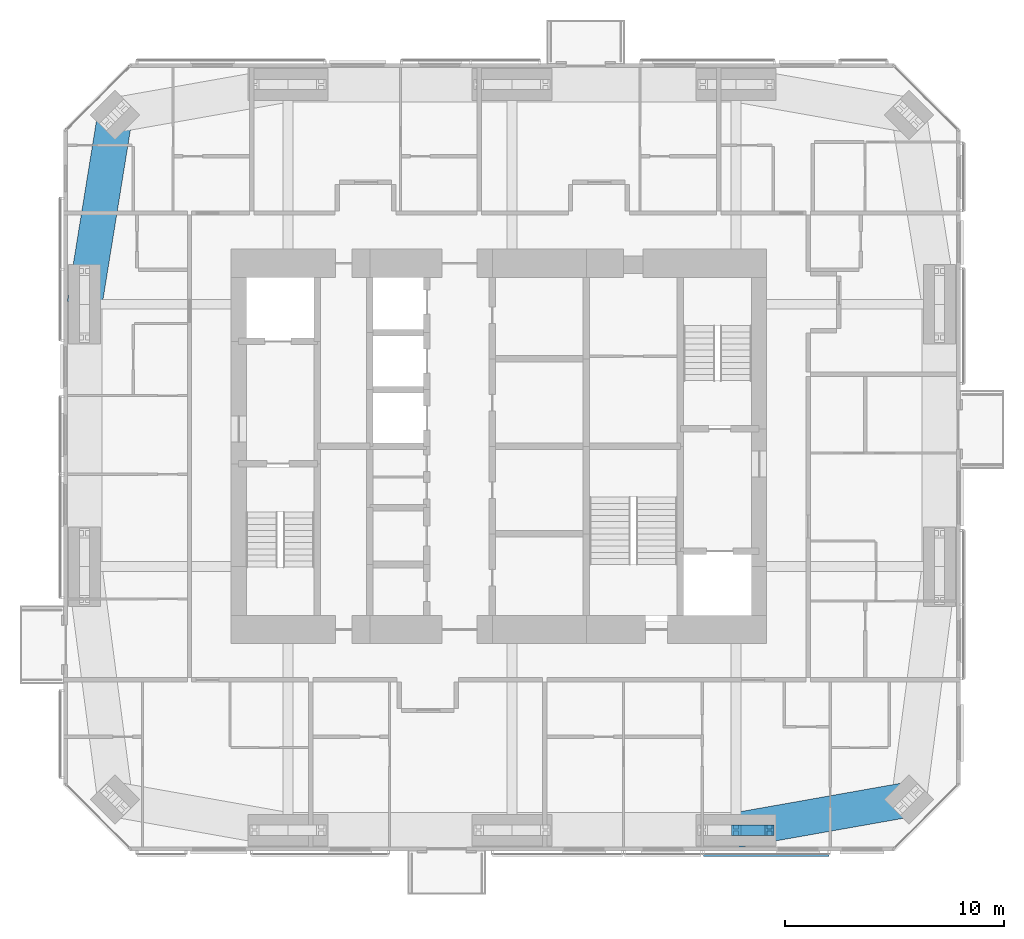
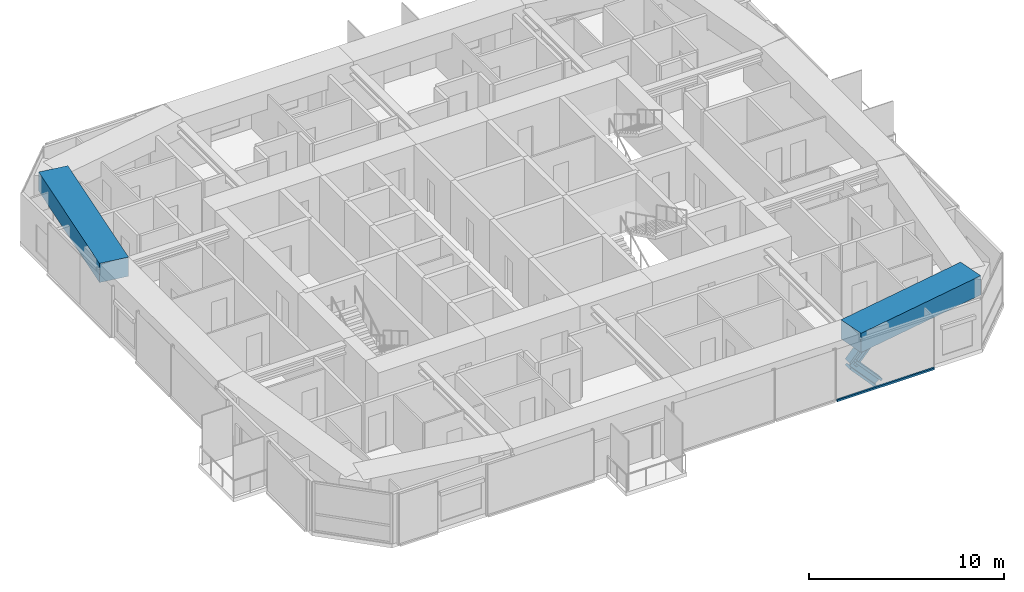
# One storey, part 7 of 23: 3 members, 2 beams, 1 element without a shape of its own.
"""IFC4 building model written with IfcOpenShell, lengths in metres."""

from ifc_helpers import new_model, si_unit, direction, frame, origin, origin_2d, place, context, subcontext, project, spatial, rectangle, i_section, extrude, material, material_profile, profile_set, type_object, element, aggregate, save


model = new_model("IFC4")

# Units and contexts
model_context = context("Model", 3, precision=1e-05, world=origin(), true_north=direction((0.0, 1.0)))
body_context = subcontext(model_context, "Body", "Model", "MODEL_VIEW")
ifc_project = project(units=[si_unit("LENGTHUNIT", "METRE"), si_unit("AREAUNIT", "SQUARE_METRE"), si_unit("VOLUMEUNIT", "CUBIC_METRE"), si_unit("PLANEANGLEUNIT", "RADIAN"), si_unit("MASSUNIT", "GRAM", prefix="KILO")], contexts=[model_context])

# Site, building, storey
site_placement = place(None, origin())
site = spatial("IfcSite", under=ifc_project, at=site_placement, CompositionType="ELEMENT")
building_placement = place(site_placement, origin())
building = spatial("IfcBuilding", under=site, at=building_placement, Name="Jalousie Tower", CompositionType="ELEMENT")
storey_placement = place(building_placement, frame((0.0, 0.0, 187.85009765625)))
storey = spatial("IfcBuildingStorey", under=building, at=storey_placement, Name="L51", CompositionType="ELEMENT", Elevation=187.85009765625)

# Members
ifc_material_1 = material(Name="Steel ASTM A992 Grade 50", Category="steel")
ifc_material_profile_1 = material_profile(ifc_material_1, i_section(OverallWidth=0.472412109375, OverallDepth=0.5791015625, WebThickness=0.094970703125, FlangeThickness=0.1298828125, at=origin_2d()), Name="W14X808")
ifc_profile_set_1 = profile_set([ifc_material_profile_1], Name="Steel ASTM A992 Grade 50")
member_type_1 = type_object("IfcMemberType", Name="PERIMETER BRACE W14X808", PredefinedType="BRACE", material=ifc_profile_set_1)
for number, where, z_axis, x_axis, name in (
    (1, (42.75, 0.949951171875, 1.074951171875), (0.673187629365, 0.0, 0.739471713908), (0.0, 1.0, 0.0), "Perimeter brace 04 L51 part 2"),
    (2, (44.27490234375, 0.949951171875, -0.60009765625), (-0.673187629365, 0.0, 0.739471713908), (0.0, -1.0, 0.0), "Perimeter brace 04 L51 part 3"),
):
    element("IfcMember", number, at=place(storey_placement, frame(where, z_axis=z_axis, x_axis=x_axis)), inside=storey, type_object=member_type_1, Name=name, PredefinedType="BRACE", context=body_context, shape_type="SweptSolid", body=[
        extrude(i_section(OverallWidth=0.472412109375, OverallDepth=0.5791015625, WebThickness=0.094970703125, FlangeThickness=0.1298828125, at=origin_2d()), origin(), (0.0, 0.0, 1.0), 2.26513671875),
    ])

# Beams
ifc_material_2 = material(Name="Concrete f'c 40 MPa", Category="concrete")
ifc_material_profile_2 = material_profile(ifc_material_2, rectangle(XDim=1.60009765625, YDim=1.199951171875, at=origin_2d()), Name="RC 1600x1200")
ifc_profile_set_2 = profile_set([ifc_material_profile_2], Name="Concrete f'c 40 MPa")
beam_type = type_object("IfcBeamType", Name="RC BEAM 1600x1200", PredefinedType="BEAM", material=ifc_profile_set_2)
beam_1_placement = place(storey_placement, frame((42.75, 0.949951171875, 2.75), z_axis=(0.984697370688, 0.174273027632, 0.0), x_axis=(-0.174273027632, 0.984697370688, 0.0)))
element("IfcBeam", 3, at=beam_1_placement, inside=storey, type_object=beam_type, Name="Edge band beam 04-05 under L52", PredefinedType="BEAM", context=body_context, shape_type="SweptSolid", body=[
    extrude(rectangle(XDim=1.60009765625, YDim=1.199951171875, at=origin_2d()), origin(), (0.0, 0.0, 1.0), 8.0244140625),
])
beam_2_placement = place(storey_placement, frame((14.348388671875, 33.651611328125, 2.75), z_axis=(-0.159567878256, -0.987186959106, 0.0), x_axis=(0.987186959106, -0.159567878256, 0.0)))
element("IfcBeam", 4, at=beam_2_placement, inside=storey, type_object=beam_type, Name="Edge band beam 12-13 under L52", PredefinedType="BEAM", context=body_context, shape_type="SweptSolid", body=[
    extrude(rectangle(XDim=1.60009765625, YDim=1.199951171875, at=origin_2d()), origin(), (0.0, 0.0, 1.0), 8.763916015625),
])

# Curtain wall, member
ifc_material_3 = material(Name="Perforated aluminium sheet", Category="aluminium")
curtain_wall_type = type_object("IfcCurtainWallType", Name="SOLAR SCREEN SS-1", PredefinedType="USERDEFINED", material=ifc_material_3)
curtain_wall_placement = place(storey_placement, origin())
curtain_wall = element("IfcCurtainWall", 5, at=curtain_wall_placement, inside=storey, type_object=curtain_wall_type, Name="Solar screen L51", ObjectType="SOLAR SCREEN SS-1", PredefinedType="USERDEFINED")
ifc_material_4 = material(Name="Extruded aluminium screen rail", Category="aluminium")
ifc_material_profile_3 = material_profile(ifc_material_4, rectangle(XDim=0.1015625, YDim=0.1201171875, at=origin_2d()), Name="RAIL 102x120")
ifc_profile_set_3 = profile_set([ifc_material_profile_3], Name="Extruded aluminium screen rail")
member_type_2 = type_object("IfcMemberType", Name="SOLAR SCREEN SS-1 TRANSOM", PredefinedType="USERDEFINED", material=ifc_profile_set_3)
member_placement = place(storey_placement, frame((41.25, -0.1982421875, -0.06005859375), z_axis=(1.0, 0.0, 0.0), x_axis=(0.0, 1.0, 0.0)))
member = element("IfcMember", 6, at=member_placement, type_object=member_type_2, Name="SS1 rail", ObjectType="TRANSOM", PredefinedType="USERDEFINED", context=body_context, shape_type="SweptSolid", body=[
    extrude(rectangle(XDim=0.1015625, YDim=0.1201171875, at=origin_2d()), origin(), (0.0, 0.0, 1.0), 5.75),
])
aggregate(curtain_wall, [member])

save(model, "model.ifc")
